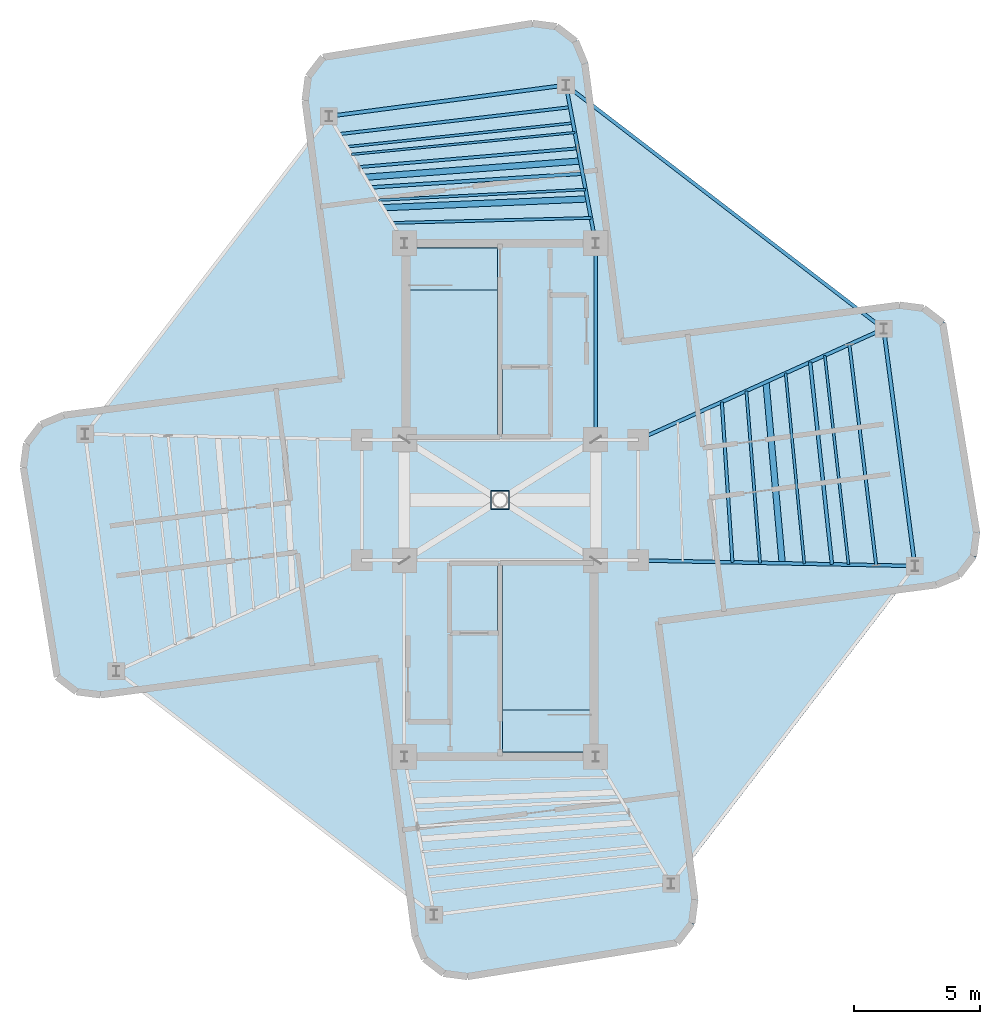
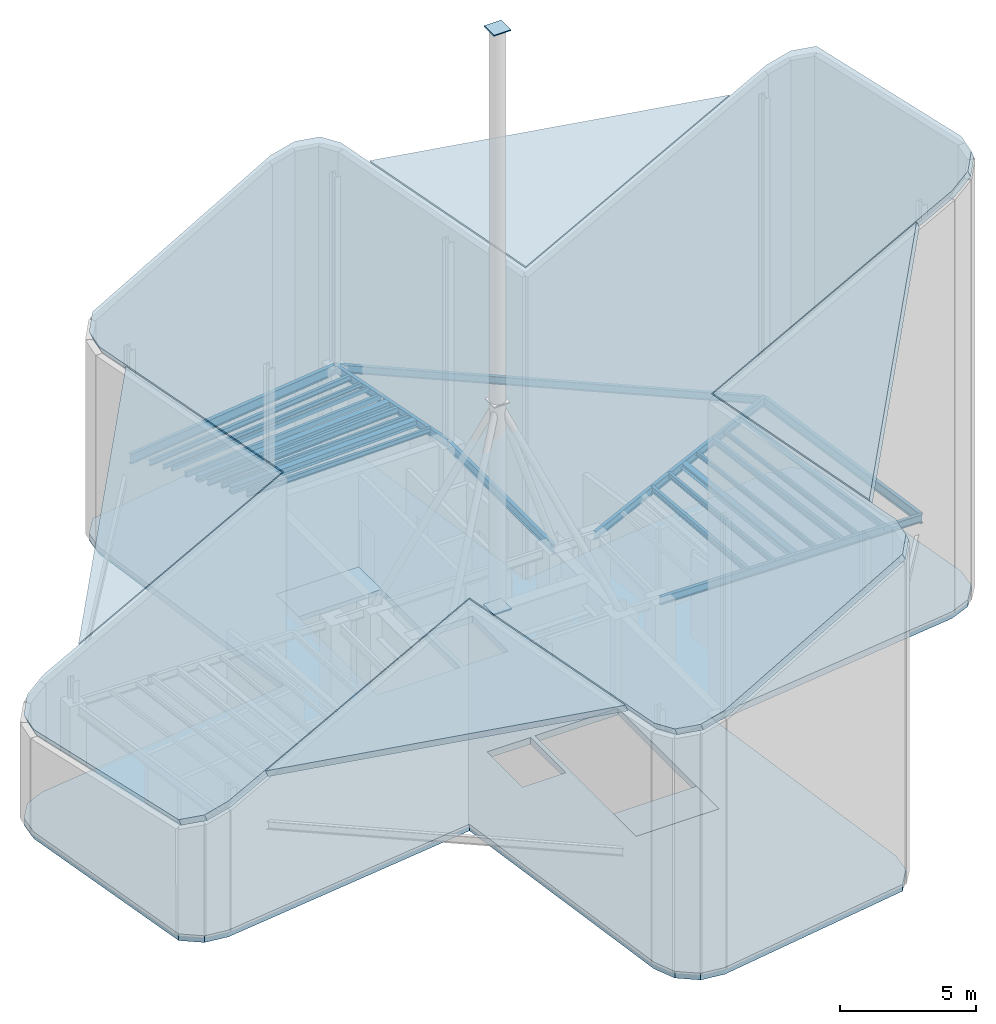
# One storey, part 4 of 8: 23 beams, 8 slabs, 2 plates.
"""IFC4 building model written with IfcOpenShell, lengths in metres."""

from ifc_helpers import new_model, si_unit, direction, frame, origin, origin_2d, place, context, subcontext, project, spatial, polyline, rectangle, hollow_rectangle, i_section, outline, extrude, source, transform, mapped, material, layer, layer_set, material_profile, profile_set, type_object, element, save


model = new_model("IFC4")

# Units and contexts
model_context = context("Model", 3, precision=1e-05, world=origin(), true_north=direction((0.0, 1.0)))
body_context = subcontext(model_context, "Body", "Model", "MODEL_VIEW")
ifc_project = project(units=[si_unit("LENGTHUNIT", "METRE"), si_unit("AREAUNIT", "SQUARE_METRE"), si_unit("VOLUMEUNIT", "CUBIC_METRE"), si_unit("PLANEANGLEUNIT", "RADIAN"), si_unit("MASSUNIT", "GRAM", prefix="KILO")], contexts=[model_context])

# Site, building, storey
site_placement = place(None, origin())
site = spatial("IfcSite", under=ifc_project, at=site_placement, CompositionType="ELEMENT")
building_placement = place(site_placement, origin())
building = spatial("IfcBuilding", under=site, at=building_placement, Name="Sahyath Konkavel Grand Hotel", CompositionType="ELEMENT")
storey_placement = place(building_placement, frame((0.0, 0.0, 300.300048828125)))
storey = spatial("IfcBuildingStorey", under=building, at=storey_placement, Name="L83", CompositionType="ELEMENT", Elevation=300.300048828125)

# Beams
ifc_material_1 = material(Name="Steel E350", Category="steel")
ifc_material_profile_1 = material_profile(ifc_material_1, i_section(OverallWidth=0.139892578125, OverallDepth=0.39990234375, WebThickness=0.0087890625, FlangeThickness=0.01611328125, FilletRadius=0.013916015625, at=origin_2d()), Name="ISMB 400")
ifc_profile_set_1 = profile_set([ifc_material_profile_1], Name="Steel E350")
beam_type_1 = type_object("IfcBeamType", Name="BM-ISMB400", PredefinedType="BEAM", material=ifc_profile_set_1)
shared_shape_1 = source(origin(), body_context, "Body", "SweptSolid", [
    extrude(i_section(OverallWidth=0.139892578125, OverallDepth=0.39990234375, WebThickness=0.0087890625, FlangeThickness=0.01611328125, FilletRadius=0.013916015625, at=origin_2d()), origin(), (0.0, 0.0, 1.0), 7.800048828125),
])
beam_1_placement = place(storey_placement, frame((3.800048828125, 2.39990234375, 4.050048828125), z_axis=(0.0, 1.0, 0.0), x_axis=(-1.0, 0.0, 0.0)))
element("IfcBeam", 1, at=beam_1_placement, inside=storey, type_object=beam_type_1, Name="str:bm:L83:NC-E", PredefinedType="BEAM", context=body_context, shape_type="MappedRepresentation", body=[
    mapped(shared_shape_1, transform((0.0, 0.0, 0.0), scale=1.0)),
])
ifc_material_profile_2 = material_profile(ifc_material_1, i_section(OverallWidth=0.14990234375, OverallDepth=0.449951171875, WebThickness=0.009521484375, FlangeThickness=0.017333984375, FilletRadius=0.014892578125, at=origin_2d()), Name="ISMB 450")
ifc_profile_set_2 = profile_set([ifc_material_profile_2], Name="Steel E350")
beam_type_2 = type_object("IfcBeamType", Name="BM-ISMB450", PredefinedType="BEAM", material=ifc_profile_set_2)
shared_shape_2 = source(origin(), body_context, "Body", "SweptSolid", [
    extrude(i_section(OverallWidth=0.14990234375, OverallDepth=0.449951171875, WebThickness=0.009521484375, FlangeThickness=0.017333984375, FilletRadius=0.014892578125, at=origin_2d()), origin(), (0.0, 0.0, 1.0), 9.5),
])
for number, where, z_axis, x_axis, name in (
    (2, (16.483154296875, -2.620849609375, 4.02490234375), (-0.130525643939, 0.991444933556, 0.0), (-0.991444933556, -0.130525643939, 0.0), "L83 Wing Tip Edge Beam E"),
    (3, (2.620849609375, 16.483154296875, 4.02490234375), (-0.991444933556, -0.130525643939, 0.0), (0.130525643939, -0.991444933556, 0.0), "L83 Wing Tip Edge Beam N"),
):
    element("IfcBeam", number, at=place(storey_placement, frame(where, z_axis=z_axis, x_axis=x_axis)), inside=storey, type_object=beam_type_2, Name=name, PredefinedType="BEAM", context=body_context, shape_type="MappedRepresentation", body=[
        mapped(shared_shape_2, transform((0.0, 0.0, 0.0), scale=1.0)),
    ])
ifc_material_profile_3 = material_profile(ifc_material_1, i_section(OverallWidth=0.139892578125, OverallDepth=0.35009765625, WebThickness=0.008056640625, FlangeThickness=0.01416015625, FilletRadius=0.013916015625, at=origin_2d()), Name="ISMB 350")
ifc_profile_set_3 = profile_set([ifc_material_profile_3], Name="Steel E350")
beam_type_3 = type_object("IfcBeamType", Name="BM-ISMB350", PredefinedType="BEAM", material=ifc_profile_set_3)
shared_shape_3 = source(origin(), body_context, "Body", "SweptSolid", [
    extrude(i_section(OverallWidth=0.139892578125, OverallDepth=0.35009765625, WebThickness=0.008056640625, FlangeThickness=0.01416015625, FilletRadius=0.013916015625, at=origin_2d()), origin(), (0.0, 0.0, 1.0), 10.9853515625),
])
beam_2_placement = place(storey_placement, frame((5.5, -2.39990234375, 4.074951171875), z_axis=(0.999797716106, -0.020112853337, 0.0), x_axis=(0.020112853337, 0.999797716106, 0.0)))
element("IfcBeam", 4, at=beam_2_placement, inside=storey, type_object=beam_type_3, Name="L83 Cruciform Radial Girder EA", PredefinedType="BEAM", context=body_context, shape_type="MappedRepresentation", body=[
    mapped(shared_shape_3, transform((0.0, 0.0, 0.0), scale=1.0)),
])
shared_shape_4 = source(origin(), body_context, "Body", "SweptSolid", [
    extrude(i_section(OverallWidth=0.139892578125, OverallDepth=0.35009765625, WebThickness=0.008056640625, FlangeThickness=0.01416015625, FilletRadius=0.013916015625, at=origin_2d()), origin(), (0.0, 0.0, 1.0), 10.689697265625),
])
beam_3_placement = place(storey_placement, frame((5.5, 2.39990234375, 4.074951171875), z_axis=(0.911447410295, 0.411416599405, 0.0), x_axis=(-0.411416599405, 0.911447410295, 0.0)))
element("IfcBeam", 5, at=beam_3_placement, inside=storey, type_object=beam_type_3, Name="L83 Cruciform Radial Girder EB", PredefinedType="BEAM", context=body_context, shape_type="MappedRepresentation", body=[
    mapped(shared_shape_4, transform((0.0, 0.0, 0.0), scale=1.0)),
])
shared_shape_5 = source(origin(), body_context, "Body", "SweptSolid", [
    extrude(i_section(OverallWidth=0.139892578125, OverallDepth=0.35009765625, WebThickness=0.008056640625, FlangeThickness=0.01416015625, FilletRadius=0.013916015625, at=origin_2d()), origin(), (0.0, 0.0, 1.0), 6.392822265625),
])
beam_4_placement = place(storey_placement, frame((3.800048828125, 10.199951171875, 4.074951171875), z_axis=(-0.184454547999, 0.982841044993, 0.0), x_axis=(-0.982841044993, -0.184454547999, 0.0)))
element("IfcBeam", 6, at=beam_4_placement, inside=storey, type_object=beam_type_3, Name="L83 Cruciform Radial Girder NA", PredefinedType="BEAM", context=body_context, shape_type="MappedRepresentation", body=[
    mapped(shared_shape_5, transform((0.0, 0.0, 0.0), scale=1.0)),
])
shared_shape_6 = source(origin(), body_context, "Body", "SweptSolid", [
    extrude(i_section(OverallWidth=0.139892578125, OverallDepth=0.35009765625, WebThickness=0.008056640625, FlangeThickness=0.01416015625, FilletRadius=0.013916015625, at=origin_2d()), origin(), (0.0, 0.0, 1.0), 15.909912109375),
])
beam_5_placement = place(storey_placement, frame((15.2431640625, 6.7978515625, 4.074951171875), z_axis=(-0.79335758392, 0.608755898564, 0.0), x_axis=(-0.608755898564, -0.79335758392, 0.0)))
element("IfcBeam", 7, at=beam_5_placement, inside=storey, type_object=beam_type_3, Name="L83 Re-Entrant Tie Beam NE", PredefinedType="BEAM", context=body_context, shape_type="MappedRepresentation", body=[
    mapped(shared_shape_6, transform((0.0, 0.0, 0.0), scale=1.0)),
])
ifc_material_profile_4 = material_profile(ifc_material_1, i_section(OverallWidth=0.25, OverallDepth=0.25, WebThickness=0.0087890625, FlangeThickness=0.009765625, FilletRadius=0.010009765625, at=origin_2d()), Name="ISHB 250")
ifc_profile_set_4 = profile_set([ifc_material_profile_4], Name="Steel E350")
beam_type_4 = type_object("IfcBeamType", Name="BM-ISHB250", PredefinedType="BEAM", material=ifc_profile_set_4)
shared_shape_7 = source(origin(), body_context, "Body", "SweptSolid", [
    extrude(i_section(OverallWidth=0.25, OverallDepth=0.25, WebThickness=0.0087890625, FlangeThickness=0.009765625, FilletRadius=0.010009765625, at=origin_2d()), origin(), (0.0, 0.0, 1.0), 7.230712890625),
])
beam_6_placement = place(storey_placement, frame((11.211181640625, -2.514892578125, 4.125), z_axis=(-0.089171800482, 0.996016259907, 0.0), x_axis=(-0.996016259907, -0.089171800482, 0.0)))
element("IfcBeam", 8, at=beam_6_placement, inside=storey, type_object=beam_type_4, Name="L83 Secondary Floor Beam E-2", PredefinedType="BEAM", context=body_context, shape_type="MappedRepresentation", body=[
    mapped(shared_shape_7, transform((0.0, 0.0, 0.0), scale=1.0)),
])
ifc_material_profile_5 = material_profile(ifc_material_1, i_section(OverallWidth=0.10009765625, OverallDepth=0.199951171875, WebThickness=0.005615234375, FlangeThickness=0.0107421875, FilletRadius=0.010986328125, at=origin_2d()), Name="ISMB 200")
ifc_profile_set_5 = profile_set([ifc_material_profile_5], Name="Steel E350")
beam_type_5 = type_object("IfcBeamType", Name="BM-ISMB200", PredefinedType="BEAM", material=ifc_profile_set_5)
shared_shape_8 = source(origin(), body_context, "Body", "SweptSolid", [
    extrude(i_section(OverallWidth=0.10009765625, OverallDepth=0.199951171875, WebThickness=0.005615234375, FlangeThickness=0.0107421875, FilletRadius=0.010986328125, at=origin_2d()), origin(), (0.0, 0.0, 1.0), 8.36328125),
])
beam_7_placement = place(storey_placement, frame((13.84716796875, -2.56787109375, 4.14990234375), z_axis=(-0.112680437677, 0.99363127918, 0.0), x_axis=(-0.99363127918, -0.112680437677, 0.0)))
element("IfcBeam", 9, at=beam_7_placement, inside=storey, type_object=beam_type_5, Name="L83 Secondary Floor Beam E-3", PredefinedType="BEAM", context=body_context, shape_type="MappedRepresentation", body=[
    mapped(shared_shape_8, transform((0.0, 0.0, 0.0), scale=1.0)),
])
ifc_material_profile_6 = material_profile(ifc_material_1, i_section(OverallWidth=0.25, OverallDepth=0.300048828125, WebThickness=0.009521484375, FlangeThickness=0.010498046875, FilletRadius=0.010986328125, at=origin_2d()), Name="ISHB 300")
ifc_profile_set_6 = profile_set([ifc_material_profile_6], Name="Steel E350")
beam_type_6 = type_object("IfcBeamType", Name="BM-ISHB300", PredefinedType="BEAM", material=ifc_profile_set_6)
shared_shape_9 = source(origin(), body_context, "Body", "SweptSolid", [
    extrude(i_section(OverallWidth=0.25, OverallDepth=0.300048828125, WebThickness=0.009521484375, FlangeThickness=0.010498046875, FilletRadius=0.010986328125, at=origin_2d()), origin(), (0.0, 0.0, 1.0), 8.11669921875),
])
beam_8_placement = place(storey_placement, frame((3.469970703125, 11.959228515625, 4.099853515625), z_axis=(-0.999084879956, -0.042771516718, 0.0), x_axis=(0.042771516718, -0.999084879956, 0.0)))
element("IfcBeam", 10, at=beam_8_placement, inside=storey, type_object=beam_type_6, Name="L83 Secondary Floor Beam N-1", PredefinedType="BEAM", context=body_context, shape_type="MappedRepresentation", body=[
    mapped(shared_shape_9, transform((0.0, 0.0, 0.0), scale=1.0)),
])
shared_shape_10 = source(origin(), body_context, "Body", "SweptSolid", [
    extrude(i_section(OverallWidth=0.25, OverallDepth=0.25, WebThickness=0.0087890625, FlangeThickness=0.009765625, FilletRadius=0.010009765625, at=origin_2d()), origin(), (0.0, 0.0, 1.0), 8.570068359375),
])
beam_9_placement = place(storey_placement, frame((3.18701171875, 13.46728515625, 4.125), z_axis=(-0.997165854664, -0.075234688098, 0.0), x_axis=(0.075234688098, -0.997165854664, 0.0)))
element("IfcBeam", 11, at=beam_9_placement, inside=storey, type_object=beam_type_4, Name="L83 Secondary Floor Beam N-2", PredefinedType="BEAM", context=body_context, shape_type="MappedRepresentation", body=[
    mapped(shared_shape_10, transform((0.0, 0.0, 0.0), scale=1.0)),
])
shared_shape_11 = source(origin(), body_context, "Body", "SweptSolid", [
    extrude(i_section(OverallWidth=0.10009765625, OverallDepth=0.199951171875, WebThickness=0.005615234375, FlangeThickness=0.0107421875, FilletRadius=0.010986328125, at=origin_2d()), origin(), (0.0, 0.0, 1.0), 9.031494140625),
])
beam_10_placement = place(storey_placement, frame((2.90380859375, 14.97509765625, 4.14990234375), z_axis=(-0.994541240043, -0.104344246869, 0.0), x_axis=(0.104344246869, -0.994541240043, 0.0)))
element("IfcBeam", 12, at=beam_10_placement, inside=storey, type_object=beam_type_5, Name="L83 Secondary Floor Beam N-3", PredefinedType="BEAM", context=body_context, shape_type="MappedRepresentation", body=[
    mapped(shared_shape_11, transform((0.0, 0.0, 0.0), scale=1.0)),
])
ifc_material_profile_7 = material_profile(ifc_material_1, i_section(OverallWidth=0.125, OverallDepth=0.25, WebThickness=0.0068359375, FlangeThickness=0.012451171875, FilletRadius=0.012939453125, at=origin_2d()), Name="ISMB 250")
ifc_profile_set_7 = profile_set([ifc_material_profile_7], Name="Steel E350")
beam_type_7 = type_object("IfcBeamType", Name="BM-ISMB250", PredefinedType="BEAM", material=ifc_profile_set_7)
shared_shape_12 = source(origin(), body_context, "Body", "SweptSolid", [
    extrude(i_section(OverallWidth=0.125, OverallDepth=0.25, WebThickness=0.0068359375, FlangeThickness=0.012451171875, FilletRadius=0.012939453125, at=origin_2d()), origin(), (0.0, 0.0, 1.0), 6.38427734375),
])
beam_11_placement = place(storey_placement, frame((9.234375, -2.47509765625, 4.125), z_axis=(-0.066041839115, 0.997816854681, 0.0), x_axis=(-0.997816854681, -0.066041839115, 0.0)))
element("IfcBeam", 13, at=beam_11_placement, inside=storey, type_object=beam_type_7, Name="L83 Composite Deck Sub-Beam E-2", PredefinedType="BEAM", context=body_context, shape_type="MappedRepresentation", body=[
    mapped(shared_shape_12, transform((0.0, 0.0, 0.0), scale=1.0)),
])
ifc_material_profile_8 = material_profile(ifc_material_1, i_section(OverallWidth=0.110107421875, OverallDepth=0.22509765625, WebThickness=0.006591796875, FlangeThickness=0.01171875, FilletRadius=0.011962890625, at=origin_2d()), Name="ISMB 225")
ifc_profile_set_8 = profile_set([ifc_material_profile_8], Name="Steel E350")
beam_type_8 = type_object("IfcBeamType", Name="BM-ISMB225", PredefinedType="BEAM", material=ifc_profile_set_8)
shared_shape_13 = source(origin(), body_context, "Body", "SweptSolid", [
    extrude(i_section(OverallWidth=0.110107421875, OverallDepth=0.22509765625, WebThickness=0.006591796875, FlangeThickness=0.01171875, FilletRadius=0.011962890625, at=origin_2d()), origin(), (0.0, 0.0, 1.0), 6.85400390625),
])
beam_12_placement = place(storey_placement, frame((10.33251953125, -2.497314453125, 4.137451171875), z_axis=(-0.079575331875, 0.996828855199, 0.0), x_axis=(-0.996828855199, -0.079575331875, 0.0)))
element("IfcBeam", 14, at=beam_12_placement, inside=storey, type_object=beam_type_8, Name="L83 Composite Deck Sub-Beam E-3", PredefinedType="BEAM", context=body_context, shape_type="MappedRepresentation", body=[
    mapped(shared_shape_13, transform((0.0, 0.0, 0.0), scale=1.0)),
])
shared_shape_14 = source(origin(), body_context, "Body", "SweptSolid", [
    extrude(i_section(OverallWidth=0.10009765625, OverallDepth=0.199951171875, WebThickness=0.005615234375, FlangeThickness=0.0107421875, FilletRadius=0.010986328125, at=origin_2d()), origin(), (0.0, 0.0, 1.0), 7.607666015625),
])
beam_13_placement = place(storey_placement, frame((12.08984375, -2.532470703125, 4.14990234375), z_axis=(-0.09778145576, 0.995207911398, 0.0), x_axis=(-0.995207911398, -0.09778145576, 0.0)))
element("IfcBeam", 15, at=beam_13_placement, inside=storey, type_object=beam_type_5, Name="L83 Composite Deck Sub-Beam E-4", PredefinedType="BEAM", context=body_context, shape_type="MappedRepresentation", body=[
    mapped(shared_shape_14, transform((0.0, 0.0, 0.0), scale=1.0)),
])
ifc_material_profile_9 = material_profile(ifc_material_1, i_section(OverallWidth=0.139892578125, OverallDepth=0.27490234375, WebThickness=0.00634765625, FlangeThickness=0.0087890625, FilletRadius=0.012939453125, at=origin_2d()), Name="ISLB 275")
ifc_profile_set_9 = profile_set([ifc_material_profile_9], Name="Steel E350")
beam_type_9 = type_object("IfcBeamType", Name="BM-ISLB275", PredefinedType="BEAM", material=ifc_profile_set_9)
shared_shape_15 = source(origin(), body_context, "Body", "SweptSolid", [
    extrude(i_section(OverallWidth=0.139892578125, OverallDepth=0.27490234375, WebThickness=0.00634765625, FlangeThickness=0.0087890625, FilletRadius=0.012939453125, at=origin_2d()), origin(), (0.0, 0.0, 1.0), 8.079833984375),
])
beam_14_placement = place(storey_placement, frame((13.188232421875, -2.5546875, 4.112548828125), z_axis=(-0.107416459243, 0.994214113903, 0.0), x_axis=(-0.994214113903, -0.107416459243, 0.0)))
element("IfcBeam", 16, at=beam_14_placement, inside=storey, type_object=beam_type_9, Name="L83 Composite Deck Sub-Beam E-5", PredefinedType="BEAM", context=body_context, shape_type="MappedRepresentation", body=[
    mapped(shared_shape_15, transform((0.0, 0.0, 0.0), scale=1.0)),
])
shared_shape_16 = source(origin(), body_context, "Body", "SweptSolid", [
    extrude(i_section(OverallWidth=0.110107421875, OverallDepth=0.22509765625, WebThickness=0.006591796875, FlangeThickness=0.01171875, FilletRadius=0.011962890625, at=origin_2d()), origin(), (0.0, 0.0, 1.0), 7.893310546875),
])
beam_15_placement = place(storey_placement, frame((3.611328125, 11.205322265625, 4.137451171875), z_axis=(-0.999683790083, -0.025145970772, 0.0), x_axis=(0.025145970772, -0.999683790083, 0.0)))
element("IfcBeam", 17, at=beam_15_placement, inside=storey, type_object=beam_type_8, Name="L83 Composite Deck Sub-Beam N-1", PredefinedType="BEAM", context=body_context, shape_type="MappedRepresentation", body=[
    mapped(shared_shape_16, transform((0.0, 0.0, 0.0), scale=1.0)),
])
shared_shape_17 = source(origin(), body_context, "Body", "SweptSolid", [
    extrude(i_section(OverallWidth=0.139892578125, OverallDepth=0.27490234375, WebThickness=0.00634765625, FlangeThickness=0.0087890625, FilletRadius=0.012939453125, at=origin_2d()), origin(), (0.0, 0.0, 1.0), 8.41796875),
])
beam_16_placement = place(storey_placement, frame((3.28125, 12.964599609375, 4.112548828125), z_axis=(-0.997896901011, -0.064821099595, 0.0), x_axis=(0.064821099595, -0.997896901011, 0.0)))
element("IfcBeam", 18, at=beam_16_placement, inside=storey, type_object=beam_type_9, Name="L83 Composite Deck Sub-Beam N-3", PredefinedType="BEAM", context=body_context, shape_type="MappedRepresentation", body=[
    mapped(shared_shape_17, transform((0.0, 0.0, 0.0), scale=1.0)),
])
ifc_material_profile_10 = material_profile(ifc_material_1, hollow_rectangle(XDim=0.090087890625, YDim=0.179931640625, WallThickness=0.008056640625, at=origin_2d()), Name="RHS 180x90x8")
ifc_profile_set_10 = profile_set([ifc_material_profile_10], Name="Steel E350")
beam_type_10 = type_object("IfcBeamType", Name="BM-RHS180", PredefinedType="BEAM", material=ifc_profile_set_10)
shared_shape_18 = source(origin(), body_context, "Body", "SweptSolid", [
    extrude(hollow_rectangle(XDim=0.090087890625, YDim=0.179931640625, WallThickness=0.008056640625, at=origin_2d()), origin(), (0.0, 0.0, 1.0), 8.915283203125),
])
beam_17_placement = place(storey_placement, frame((2.974609375, 14.59814453125, 4.159912109375), z_axis=(-0.995250138935, -0.097350711092, 0.0), x_axis=(0.097350711092, -0.995250138935, 0.0)))
element("IfcBeam", 19, at=beam_17_placement, inside=storey, type_object=beam_type_10, Name="L83 Composite Deck Sub-Beam N-5", PredefinedType="BEAM", context=body_context, shape_type="MappedRepresentation", body=[
    mapped(shared_shape_18, transform((0.0, 0.0, 0.0), scale=1.0)),
])
shared_shape_19 = source(origin(), body_context, "Body", "SweptSolid", [
    extrude(i_section(OverallWidth=0.125, OverallDepth=0.25, WebThickness=0.0068359375, FlangeThickness=0.012451171875, FilletRadius=0.012939453125, at=origin_2d()), origin(), (0.0, 0.0, 1.0), 9.225830078125),
])
beam_18_placement = place(storey_placement, frame((2.785888671875, 15.603515625, 4.125), z_axis=(-0.993297209422, -0.115588294191, 0.0), x_axis=(0.115588294191, -0.993297209422, 0.0)))
element("IfcBeam", 20, at=beam_18_placement, inside=storey, type_object=beam_type_7, Name="L83 Composite Deck Sub-Beam N-6", PredefinedType="BEAM", context=body_context, shape_type="MappedRepresentation", body=[
    mapped(shared_shape_19, transform((0.0, 0.0, 0.0), scale=1.0)),
])
ifc_material_profile_11 = material_profile(ifc_material_1, hollow_rectangle(XDim=0.1201171875, YDim=0.219970703125, WallThickness=0.010009765625, at=origin_2d()), Name="RHS 220x120x10")
ifc_profile_set_11 = profile_set([ifc_material_profile_11], Name="Steel E350")
beam_type_11 = type_object("IfcBeamType", Name="BM-RHS220", PredefinedType="BEAM", material=ifc_profile_set_11)
shared_shape_20 = source(origin(), body_context, "Body", "SweptSolid", [
    extrude(hollow_rectangle(XDim=0.1201171875, YDim=0.219970703125, WallThickness=0.010009765625, at=origin_2d()), origin(), (0.0, 0.0, 1.0), 8.8369140625),
])
beam_19_placement = place(storey_placement, frame((14.945556640625, -2.590087890625, 4.139892578125), z_axis=(-0.120677894343, 0.992691717411, 0.0), x_axis=(-0.992691717411, -0.120677894343, 0.0)))
element("IfcBeam", 21, at=beam_19_placement, inside=storey, type_object=beam_type_11, Name="L83 Composite Deck Sub-Beam E-6", PredefinedType="BEAM", context=body_context, shape_type="MappedRepresentation", body=[
    mapped(shared_shape_20, transform((0.0, 0.0, 0.0), scale=1.0)),
])
shared_shape_21 = source(origin(), body_context, "Body", "SweptSolid", [
    extrude(i_section(OverallWidth=0.10009765625, OverallDepth=0.199951171875, WebThickness=0.005615234375, FlangeThickness=0.0107421875, FilletRadius=0.010986328125, at=origin_2d()), origin(), (0.0, 0.0, 1.0), 8.229248046875),
])
beam_20_placement = place(storey_placement, frame((3.399169921875, 12.336181640625, 4.14990234375), z_axis=(-0.998688130329, -0.051205647534, 0.0), x_axis=(0.051205647534, -0.998688130329, 0.0)))
element("IfcBeam", 22, at=beam_20_placement, inside=storey, type_object=beam_type_5, Name="L83 Composite Deck Sub-Beam N-2", PredefinedType="BEAM", context=body_context, shape_type="MappedRepresentation", body=[
    mapped(shared_shape_21, transform((0.0, 0.0, 0.0), scale=1.0)),
])
shared_shape_22 = source(origin(), body_context, "Body", "SweptSolid", [
    extrude(hollow_rectangle(XDim=0.1201171875, YDim=0.219970703125, WallThickness=0.010009765625, at=origin_2d()), origin(), (0.0, 0.0, 1.0), 8.722900390625),
])
beam_21_placement = place(storey_placement, frame((3.092529296875, 13.969970703125, 4.139892578125), z_axis=(-0.996354605721, -0.085308262542, 0.0), x_axis=(0.085308262542, -0.996354605721, 0.0)))
element("IfcBeam", 23, at=beam_21_placement, inside=storey, type_object=beam_type_11, Name="L83 Composite Deck Sub-Beam N-4", PredefinedType="BEAM", context=body_context, shape_type="MappedRepresentation", body=[
    mapped(shared_shape_22, transform((0.0, 0.0, 0.0), scale=1.0)),
])

# Slabs
ifc_material_2 = material(Name="Concrete C40/50", Category="concrete")
ifc_layer_1 = layer(ifc_material_2, 0.300048828125)
ifc_layer_set_1 = layer_set([ifc_layer_1], Name="Concrete C40/50")
slab_type_1 = type_object("IfcSlabType", Name="SLB-300", PredefinedType="FLOOR", material=ifc_layer_set_1)
slab_1_placement = place(storey_placement, frame((0.0, 0.0, -0.300048828125)))
element("IfcSlab", 24, at=slab_1_placement, inside=storey, type_object=slab_type_1, Name="L83 Structural Floor Slab", PredefinedType="FLOOR", context=body_context, shape_type="SweptSolid", body=[
    extrude(outline(polyline([(6.282958984375, -4.821044921875), (17.337646484375, -3.36572265625), (18.222412109375, -2.999267578125), (18.805419921875, -2.239501953125), (18.930419921875, -1.2900390625), (17.5849609375, 7.030517578125), (16.8251953125, 7.61328125), (15.875732421875, 7.73828125), (4.821044921875, 6.282958984375), (3.36572265625, 17.337646484375), (2.999267578125, 18.222412109375), (2.239501953125, 18.805419921875), (1.2900390625, 18.930419921875), (-7.030517578125, 17.5849609375), (-7.61328125, 16.8251953125), (-7.73828125, 15.875732421875), (-6.282958984375, 4.821044921875), (-17.337646484375, 3.36572265625), (-18.222412109375, 2.999267578125), (-18.805419921875, 2.239501953125), (-18.930419921875, 1.2900390625), (-17.5849609375, -7.030517578125), (-16.8251953125, -7.61328125), (-15.875732421875, -7.73828125), (-4.821044921875, -6.282958984375), (-3.36572265625, -17.337646484375), (-2.999267578125, -18.222412109375), (-2.239501953125, -18.805419921875), (-1.2900390625, -18.930419921875), (7.030517578125, -17.5849609375), (7.61328125, -16.8251953125), (7.73828125, -15.875732421875), (6.282958984375, -4.821044921875)]), holes=[polyline([(-3.6201171875, 2.580078125), (-0.10009765625, 2.580078125), (-0.10009765625, 10.02001953125), (-3.6201171875, 10.02001953125), (-3.6201171875, 2.580078125)]), polyline([(0.10009765625, -10.02001953125), (3.6201171875, -10.02001953125), (3.6201171875, -2.580078125), (0.10009765625, -2.580078125), (0.10009765625, -10.02001953125)]), polyline([(0.10009765625, 2.60009765625), (1.949951171875, 2.60009765625), (1.949951171875, 5.199951171875), (0.10009765625, 5.199951171875), (0.10009765625, 2.60009765625)]), polyline([(-1.949951171875, -5.199951171875), (-0.10009765625, -5.199951171875), (-0.10009765625, -2.60009765625), (-1.949951171875, -2.60009765625), (-1.949951171875, -5.199951171875)])]), origin(), (0.0, 0.0, 1.0), 0.300048828125),
])
ifc_material_3 = material(Name="Warm Buff Sandstone Insulated Concrete C40/50", Category="masonry")
ifc_layer_2 = layer(ifc_material_3, 0.320068359375)
ifc_layer_set_2 = layer_set([ifc_layer_2], Name="Warm Buff Sandstone Insulated Concrete C40/50")
slab_type_2 = type_object("IfcSlabType", Name="SLB-CROWN-ROOF", PredefinedType="ROOF", material=ifc_layer_set_2)
slab_2_placement = place(storey_placement, frame((6.282958984375, -4.821044921875, 14.52490234375), z_axis=(-0.366502412222, -2.5801e-07, 0.930417101001), x_axis=(0.923515055665, 0.121578779156, 0.363783647817)))
element("IfcSlab", 25, at=slab_2_placement, inside=storey, type_object=slab_type_2, Name="L83 Closed Single-Plane Sloped Crown Roof", PredefinedType="ROOF", context=body_context, shape_type="SweptSolid", body=[
    extrude(outline(polyline([(0.0, 0.0), (11.970199698614083, -2.7755575615628914e-17), (12.958674151330207, 0.24811815471338552), (13.672947525990391, 0.9260725057500518), (13.921761949207038, 1.8521547192960288), (13.497997447551484, 10.286802156494216), (12.758307735732878, 10.96452388578939), (11.760687012744217, 11.212654078453758), (-0.2096015002370086, 11.212664957037145), (-0.4181342472417112, 22.375514025171835), (-0.7014815955701872, 23.30159856887287), (-1.4411416250696627, 23.97956262770546), (-2.4388511624254656, 24.227703698953214), (-11.478922631172948, 23.97948422184204), (-12.192970538290243, 23.30150225384514), (-12.441784961506892, 22.375420040299165), (-12.233252214502189, 11.212570972164473), (-24.203451913116275, 11.212570972164475), (-25.191837551465255, 10.9644419388677), (-25.90619974049258, 10.286498466414422), (-26.155014163709232, 9.360416252868445), (-25.731249662053674, 0.9257688156702558), (-24.991559950235064, 0.24804708637508477), (-23.99385041287926, -9.39848726713155e-05), (-12.023650714265182, -9.398487267112121e-05), (-11.815117967260479, -11.162943053007359), (-11.531770618932002, -12.089027596708393), (-10.792110589432527, -12.766991655540986), (-9.794401052076724, -13.015132726788742), (-0.754329583329242, -12.766913249677565), (-0.040192861844802835, -12.088942160264056), (0.2085327470047024, -11.162849068134689), (0.0, 0.0)])), origin(), (0.0, 0.0, -1.0), 0.320068359375),
])
slab_3_placement = place(storey_placement, frame((14.2109375, 7.564697265625, 17.647705078125), z_axis=(-0.366489408148, -5.49849e-07, 0.930422223356), x_axis=(-0.923518363341, -0.121594253729, -0.363770078527)))
element("IfcSlab", 26, at=slab_3_placement, inside=storey, type_object=slab_type_2, Name="L83 Sloped Crown Valley Roof Hood NE", PredefinedType="ROOF", context=body_context, shape_type="SweptSolid", body=[
    extrude(outline(polyline([(0.0, 0.0), (10.125488122311944, 1.6653345369377348e-16), (10.301641407856565, -9.442558269814972), (0.0, 0.0)])), origin(), (0.0, 0.0, -1.0), 0.320068359375),
])
slab_4_placement = place(storey_placement, frame((-7.564697265625, 14.2109375, 9.070068359375), z_axis=(-0.366511727808, 1.0778674e-05, 0.930413431364), x_axis=(0.130365222019, -0.990134589285, 0.051365396818)))
element("IfcSlab", 27, at=slab_4_placement, inside=storey, type_object=slab_type_2, Name="L83 Sloped Crown Valley Roof Hood NW", PredefinedType="ROOF", context=body_context, shape_type="SweptSolid", body=[
    extrude(outline(polyline([(0.0, 0.0), (9.444245580296794, 1.1102230246251565e-16), (9.254794593535676, -10.123774765175735), (0.0, 0.0)])), origin(), (0.0, 0.0, -1.0), 0.320068359375),
])
slab_5_placement = place(storey_placement, frame((-14.2109375, -7.564697265625, 6.4521484375), z_axis=(-0.366510078616, -3.693054e-06, 0.930414081073), x_axis=(0.923510262964, 0.1215931872, 0.363790999102)))
element("IfcSlab", 28, at=slab_5_placement, inside=storey, type_object=slab_type_2, Name="L83 Sloped Crown Valley Roof Hood SW", PredefinedType="ROOF", context=body_context, shape_type="SweptSolid", body=[
    extrude(outline(polyline([(0.0, 0.0), (10.125576935920064, 8.326672684688674e-17), (10.301740367060962, -9.442558080540882), (0.0, 0.0)])), origin(), (0.0, 0.0, -1.0), 0.320068359375),
])
slab_6_placement = place(storey_placement, frame((7.564697265625, -14.2109375, 15.02978515625), z_axis=(-0.366511727808, 1.0778674e-05, 0.930413431364), x_axis=(-0.130365222019, 0.990134589285, -0.051365396818)))
element("IfcSlab", 29, at=slab_6_placement, inside=storey, type_object=slab_type_2, Name="L83 Sloped Crown Valley Roof Hood SE", PredefinedType="ROOF", context=body_context, shape_type="SweptSolid", body=[
    extrude(outline(polyline([(0.0, 0.0), (9.444245580296794, 1.1102230246251565e-16), (9.254794593535676, -10.123774765175735), (0.0, 0.0)])), origin(), (0.0, 0.0, -1.0), 0.320068359375),
])
ifc_layer_3 = layer(ifc_material_2, 0.199951171875)
ifc_layer_set_3 = layer_set([ifc_layer_3], Name="Concrete C40/50")
slab_type_3 = type_object("IfcSlabType", Name="SLB-STAIR-LND", PredefinedType="LANDING", material=ifc_layer_set_3)
slab_7_placement = place(storey_placement, frame((0.0, 0.0, -0.199951171875)))
element("IfcSlab", 30, at=slab_7_placement, inside=storey, type_object=slab_type_3, Name="L83 Stair ST-1 Floor Landing Slab", PredefinedType="LANDING", context=body_context, shape_type="SweptSolid", body=[
    extrude(outline(polyline([(-3.6201171875, 8.35009765625), (-0.10009765625, 8.35009765625), (-0.10009765625, 10.02001953125), (-3.6201171875, 10.02001953125), (-3.6201171875, 8.35009765625)])), origin(), (0.0, 0.0, 1.0), 0.199951171875),
])
slab_8_placement = place(storey_placement, frame((0.0, 0.0, -0.199951171875)))
element("IfcSlab", 31, at=slab_8_placement, inside=storey, type_object=slab_type_3, Name="L83 Stair ST-2 Floor Landing Slab", PredefinedType="LANDING", context=body_context, shape_type="SweptSolid", body=[
    extrude(outline(polyline([(0.10009765625, -10.02001953125), (3.6201171875, -10.02001953125), (3.6201171875, -8.35009765625), (0.10009765625, -8.35009765625), (0.10009765625, -10.02001953125)])), origin(), (0.0, 0.0, 1.0), 0.199951171875),
])

# Plates
ifc_material_4 = material(Name="Steel E450", Category="steel")
plate_type = type_object("IfcPlateType", Name="GUSSET-NODE-40", PredefinedType="USERDEFINED", material=ifc_material_4)
shared_shape_23 = source(origin(), body_context, "Body", "SweptSolid", [
    extrude(rectangle(XDim=0.719970703125, YDim=0.719970703125, at=origin_2d()), origin(), (0.0, 0.0, 1.0), 0.050048828125),
])
plate_1_placement = place(storey_placement, frame((0.0, 0.0, 30.1748046875), z_axis=(0.0, 0.0, 1.0), x_axis=(1.0, 0.0, 0.0)))
element("IfcPlate", 32, at=plate_1_placement, inside=storey, type_object=plate_type, Name="Crown Spire Mast Sealed Finial Cap Plate", ObjectType="GUSSET_PLATE", PredefinedType="USERDEFINED", context=body_context, shape_type="MappedRepresentation", body=[
    mapped(shared_shape_23, transform((0.0, 0.0, 0.0), scale=1.0)),
])
shared_shape_24 = source(origin(), body_context, "Body", "SweptSolid", [
    extrude(rectangle(XDim=0.760009765625, YDim=0.760009765625, at=origin_2d()), origin(), (0.0, 0.0, 1.0), 0.050048828125),
])
plate_2_placement = place(storey_placement, frame((0.0, 0.0, 4.22509765625), z_axis=(0.0, 0.0, 1.0), x_axis=(1.0, 0.0, 0.0)))
element("IfcPlate", 33, at=plate_2_placement, inside=storey, type_object=plate_type, Name="Crown Spire Mast Sealed Base Plate", ObjectType="GUSSET_PLATE", PredefinedType="USERDEFINED", context=body_context, shape_type="MappedRepresentation", body=[
    mapped(shared_shape_24, transform((0.0, 0.0, 0.0), scale=1.0)),
])

save(model, "model.ifc")
